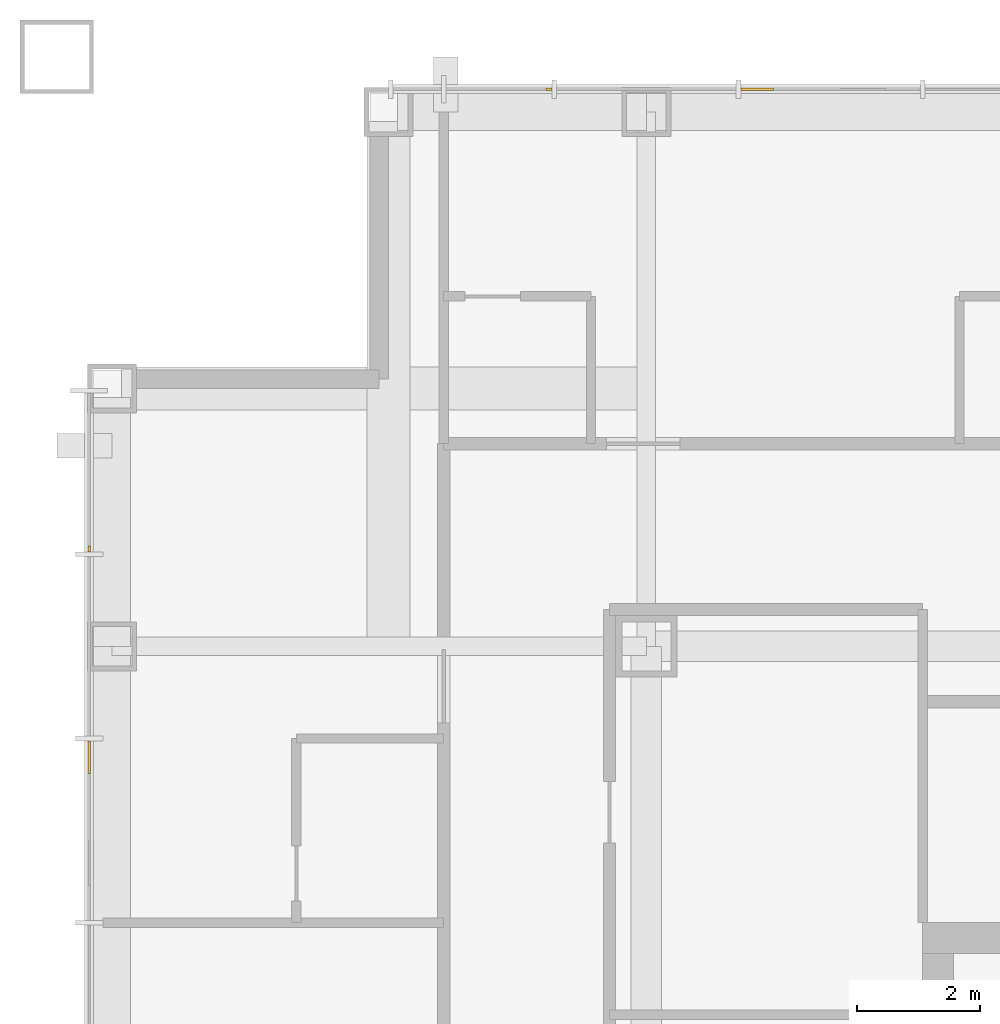
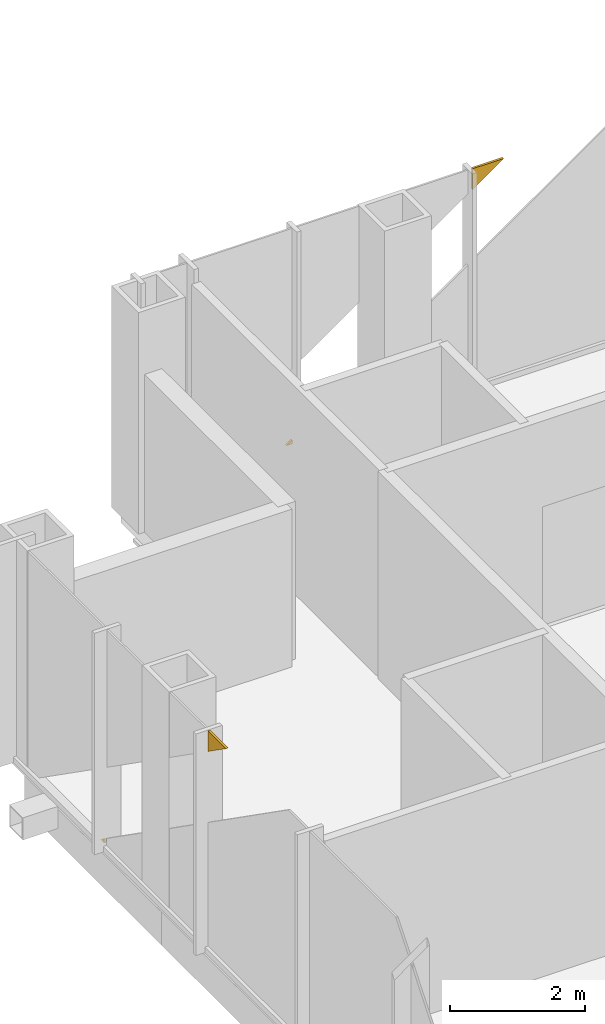
# One storey, part 14 of 15: 4 coverings.
"""IFC4 building model written with IfcOpenShell, lengths in metres."""

from ifc_helpers import new_model, si_unit, direction, frame, origin, place, context, subcontext, project, spatial, polyline, outline, extrude, material, layer, layer_set, type_object, element, save


model = new_model("IFC4")

# Units and contexts
model_context = context("Model", 3, precision=1e-05, world=origin(), true_north=direction((0.0, 1.0)))
body_context = subcontext(model_context, "Body", "Model", "MODEL_VIEW")
ifc_project = project(units=[si_unit("LENGTHUNIT", "METRE"), si_unit("AREAUNIT", "SQUARE_METRE"), si_unit("VOLUMEUNIT", "CUBIC_METRE"), si_unit("PLANEANGLEUNIT", "RADIAN"), si_unit("MASSUNIT", "GRAM", prefix="KILO")], contexts=[model_context])

# Site, building, storey
site_placement = place(None, origin())
site = spatial("IfcSite", under=ifc_project, at=site_placement, CompositionType="ELEMENT")
building_placement = place(site_placement, origin())
building = spatial("IfcBuilding", under=site, at=building_placement, Name="Malebo Sky Hospital", CompositionType="ELEMENT")
storey_placement = place(building_placement, frame((0.0, 0.0, 181.0)))
storey = spatial("IfcBuildingStorey", under=building, at=storey_placement, Name="L43", CompositionType="ELEMENT", Elevation=181.0)

# Coverings
ifc_material = material(Name="Anodised aluminium, natural silver insulated infill panel", Category="aluminium")
ifc_layer = layer(ifc_material, 0.0400390625)
ifc_layer_set = layer_set([ifc_layer], Name="BRACE INFILL PANEL 40")
covering_type = type_object("IfcCoveringType", Name="BRACE INFILL PANEL 40", PredefinedType="CLADDING", material=ifc_layer_set)
covering_1_placement = place(storey_placement, frame((44.912109375, 84.574951171875, 0.10009765625), z_axis=(0.0, 0.0, 1.0), x_axis=(1.0, 0.0, 0.0)))
element("IfcCovering", 1, at=covering_1_placement, inside=storey, type_object=covering_type, Name="Brace infill panel 2.1", PredefinedType="CLADDING", context=body_context, shape_type="SweptSolid", body=[
    extrude(outline(polyline([(-0.05029296875, 0.0), (0.05029296875, 0.0), (0.05029296875, 0.07080078125), (-0.05029296875, 0.0)])), frame((0.0, 0.02001953125, 0.0), z_axis=(0.0, -1.0, 0.0), x_axis=(1.0, 0.0, 0.0)), (0.0, 0.0, 1.0), 0.0400390625),
])
covering_2_placement = place(storey_placement, frame((48.304443359375, 84.574951171875, 3.614990234375), z_axis=(0.0, 0.0, 1.0), x_axis=(1.0, 0.0, 0.0)))
element("IfcCovering", 2, at=covering_2_placement, inside=storey, type_object=covering_type, Name="Brace infill panel 4.1", PredefinedType="CLADDING", context=body_context, shape_type="SweptSolid", body=[
    extrude(outline(polyline([(-0.26708984375, 0.0), (0.26708984375, 0.375), (-0.26708984375, 0.375), (-0.26708984375, 0.0)])), frame((0.0, 0.02001953125, 0.0), z_axis=(0.0, -1.0, 0.0), x_axis=(1.0, 0.0, 0.0)), (0.0, 0.0, 1.0), 0.0400390625),
])
covering_3_placement = place(storey_placement, frame((37.425048828125, 73.695556640625, 3.614990234375), z_axis=(0.0, 0.0, 1.0), x_axis=(0.0, 1.0, 0.0)))
element("IfcCovering", 3, at=covering_3_placement, inside=storey, type_object=covering_type, Name="Brace infill panel 11.1", PredefinedType="CLADDING", context=body_context, shape_type="SweptSolid", body=[
    extrude(outline(polyline([(0.26708984375, 0.0), (0.26708984375, 0.375), (-0.26708984375, 0.375), (0.26708984375, 0.0)])), frame((0.0, 0.02001953125, 0.0), z_axis=(0.0, -1.0, 0.0), x_axis=(1.0, 0.0, 0.0)), (0.0, 0.0, 1.0), 0.0400390625),
])
covering_4_placement = place(storey_placement, frame((37.425048828125, 77.087890625, 0.10009765625), z_axis=(0.0, 0.0, 1.0), x_axis=(0.0, 1.0, 0.0)))
element("IfcCovering", 4, at=covering_4_placement, inside=storey, type_object=covering_type, Name="Brace infill panel 13.1", PredefinedType="CLADDING", context=body_context, shape_type="SweptSolid", body=[
    extrude(outline(polyline([(-0.05029296875, 0.0), (0.05029296875, 0.0), (-0.05029296875, 0.07080078125), (-0.05029296875, 0.0)])), frame((0.0, 0.02001953125, 0.0), z_axis=(0.0, -1.0, 0.0), x_axis=(1.0, 0.0, 0.0)), (0.0, 0.0, 1.0), 0.0400390625),
])

save(model, "model.ifc")
